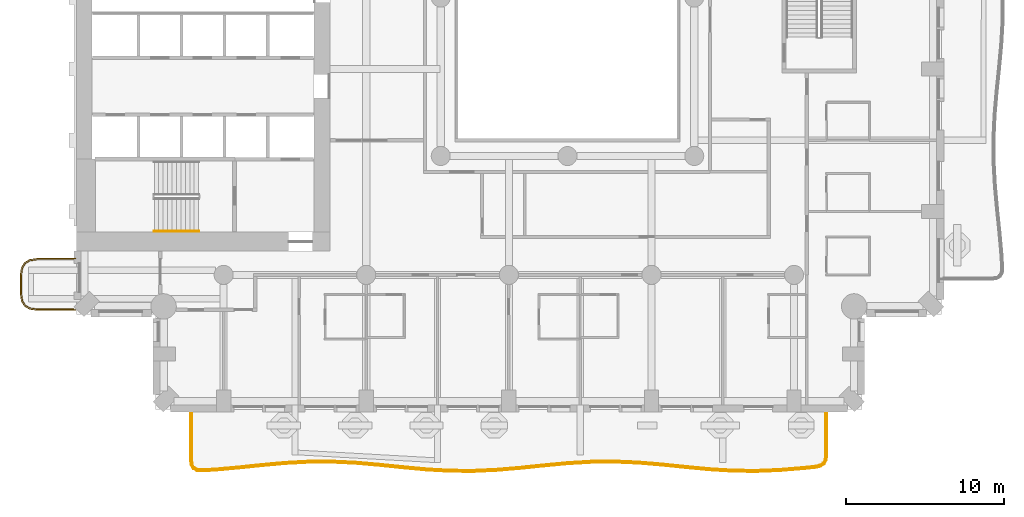
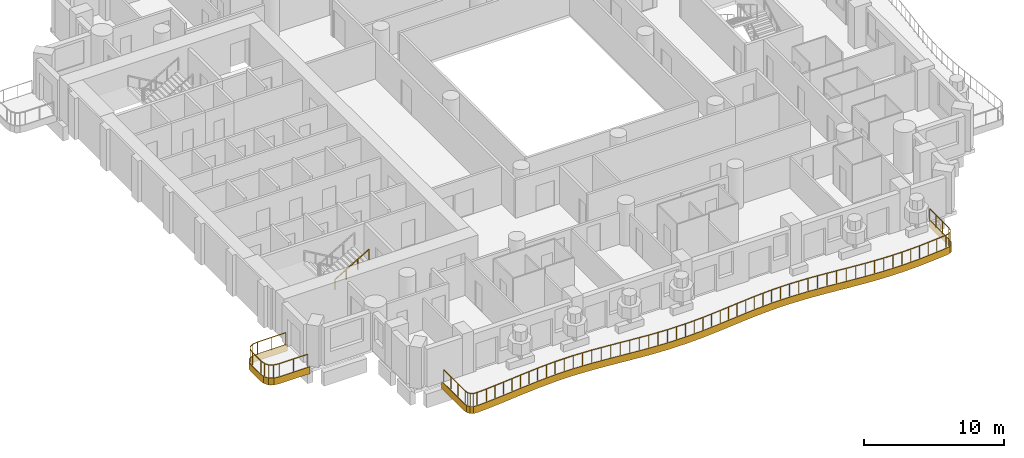
# One storey, part 13 of 20: 3 railings, 2 coverings.
"""IFC4 building model written with IfcOpenShell, lengths in metres."""

from ifc_helpers import new_model, si_unit, direction, frame, origin, origin_2d, place, context, subcontext, project, spatial, polyline, rectangle, outline, extrude, material, layer, layer_set, type_object, element, save


model = new_model("IFC4")

# Units and contexts
model_context = context("Model", 3, precision=1e-05, world=origin(), true_north=direction((0.0, 1.0)))
body_context = subcontext(model_context, "Body", "Model", "MODEL_VIEW")
ifc_project = project(units=[si_unit("LENGTHUNIT", "METRE"), si_unit("AREAUNIT", "SQUARE_METRE"), si_unit("VOLUMEUNIT", "CUBIC_METRE"), si_unit("PLANEANGLEUNIT", "RADIAN"), si_unit("MASSUNIT", "GRAM", prefix="KILO")], contexts=[model_context])

# Site, building, storey
site_placement = place(None, origin())
site = spatial("IfcSite", under=ifc_project, at=site_placement, CompositionType="ELEMENT")
building_placement = place(site_placement, origin())
building = spatial("IfcBuilding", under=site, at=building_placement, Name="Cypress Arch Tower", CompositionType="ELEMENT")
storey_placement = place(building_placement, frame((0.0, 0.0, 77.10009765625)))
storey = spatial("IfcBuildingStorey", under=building, at=storey_placement, Name="L13", CompositionType="ELEMENT", Elevation=77.10009765625)

# Coverings
ifc_material_1 = material(Name="White powder-coated aluminium fascia", Category="aluminium")
ifc_layer = layer(ifc_material_1, 0.050048828125)
ifc_layer_set = layer_set([ifc_layer], Name="Balcony fascia BF50")
covering_type = type_object("IfcCoveringType", Name="Balcony fascia BF50", PredefinedType="CLADDING", material=ifc_layer_set)
covering_1_placement = place(storey_placement, frame((0.0, 0.0, -0.60009765625)))
element("IfcCovering", 1, at=covering_1_placement, inside=storey, type_object=covering_type, Name="Balcony fascia L13-A00W1", PredefinedType="CLADDING", context=body_context, shape_type="SweptSolid", body=[
    extrude(outline(polyline([(-32.503662109375, -19.75), (-32.95458984375, -19.685546875), (-33.286376953125, -19.486328125), (-33.485595703125, -19.154541015625), (-33.550048828125, -18.70361328125), (-33.550048828125, -17.496337890625), (-33.485595703125, -17.04541015625), (-33.286376953125, -16.713623046875), (-32.95458984375, -16.514404296875), (-32.503662109375, -16.449951171875), (-30.0009765625, -16.449951171875), (-30.0009765625, -16.5), (-32.5, -16.5), (-32.9375, -16.5625), (-33.25, -16.75), (-33.4375, -17.0625), (-33.5, -17.5), (-33.5, -18.699951171875), (-33.4375, -19.137451171875), (-33.25, -19.449951171875), (-32.9375, -19.637451171875), (-32.5, -19.699951171875), (-30.0009765625, -19.699951171875), (-30.0009765625, -19.75), (-32.503662109375, -19.75)])), origin(), (0.0, 0.0, 1.0), 0.60009765625),
])
covering_2_placement = place(storey_placement, frame((0.0, 0.0, -0.60009765625)))
element("IfcCovering", 2, at=covering_2_placement, inside=storey, type_object=covering_type, Name="Balcony fascia L13-A03", PredefinedType="CLADDING", context=body_context, shape_type="SweptSolid", body=[
    extrude(outline(polyline([(17.39990234375, -28.89501953125), (17.3564453125, -29.2060546875), (17.220947265625, -29.447021484375), (16.9951171875, -29.606201171875), (16.690185546875, -29.681396484375), (15.869384765625, -29.765625), (14.382568359375, -29.8876953125), (12.89501953125, -29.947265625), (11.407470703125, -29.928466796875), (9.920166015625, -29.83642578125), (8.43408203125, -29.695556640625), (6.948974609375, -29.542724609375), (5.46533203125, -29.41796875), (3.982421875, -29.354248046875), (2.499755859375, -29.3681640625), (1.016845703125, -29.4560546875), (-0.46728515625, -29.5947265625), (-1.95263671875, -29.748291015625), (-3.439208984375, -29.875732421875), (-4.9267578125, -29.944091796875), (-6.41455078125, -29.934814453125), (-7.90185546875, -29.850830078125), (-9.38818359375, -29.7138671875), (-10.873291015625, -29.560302734375), (-12.357177734375, -29.43017578125), (-13.840087890625, -29.35791015625), (-15.32275390625, -29.3623046875), (-16.8056640625, -29.442138671875), (-18.28955078125, -29.57666015625), (-19.77490234375, -29.73046875), (-21.26123046875, -29.863037109375), (-22.082763671875, -29.905517578125), (-22.388916015625, -29.87744140625), (-22.618408203125, -29.75146484375), (-22.75634765625, -29.528564453125), (-22.800048828125, -29.22412109375), (-22.800048828125, -26.0009765625), (-22.75, -26.0009765625), (-22.75, -29.220458984375), (-22.708251953125, -29.51123046875), (-22.5830078125, -29.7138671875), (-22.3740234375, -29.82861328125), (-22.081787109375, -29.855224609375), (-21.264892578125, -29.813232421875), (-19.779541015625, -29.6806640625), (-18.29443359375, -29.52685546875), (-16.809326171875, -29.392333984375), (-15.323974609375, -29.312255859375), (-13.8388671875, -29.307861328125), (-12.353759765625, -29.38037109375), (-10.868408203125, -29.510498046875), (-9.38330078125, -29.6640625), (-7.898193359375, -29.80078125), (-6.412841796875, -29.885009765625), (-4.927734375, -29.89404296875), (-3.442626953125, -29.825927734375), (-1.95751953125, -29.698486328125), (-0.47216796875, -29.544921875), (1.012939453125, -29.406005859375), (2.498046875, -29.318115234375), (3.9833984375, -29.30419921875), (5.468505859375, -29.3681640625), (6.95361328125, -29.492919921875), (8.43896484375, -29.645751953125), (9.924072265625, -29.78662109375), (11.4091796875, -29.87841796875), (12.89453125, -29.897216796875), (14.379638671875, -29.837646484375), (15.86474609375, -29.7158203125), (16.681640625, -29.632080078125), (16.97412109375, -29.56005859375), (17.182861328125, -29.41259765625), (17.308349609375, -29.189697265625), (17.35009765625, -28.8916015625), (17.35009765625, -26.0009765625), (17.39990234375, -26.0009765625), (17.39990234375, -28.89501953125)])), origin(), (0.0, 0.0, 1.0), 0.60009765625),
])

# Railings
ifc_material_2 = material(Name="Powder-coated steel posts and rods, 100 mm clear between rods", Category="steel")
railing_type_1 = type_object("IfcRailingType", Name="Balcony guard GR1100", PredefinedType="GUARDRAIL", material=ifc_material_2)
railing_1_placement = place(storey_placement, frame((-30.14990234375, -19.64990234375, 0.0)))
element("IfcRailing", 3, at=railing_1_placement, inside=storey, type_object=railing_type_1, Name="Balcony guard L13-A00W1", PredefinedType="GUARDRAIL", context=body_context, shape_type="SweptSolid", body=[
    extrude(rectangle(XDim=0.050048828125, YDim=0.050048828125, at=origin_2d()), frame((0.0, 0.0, 1.0751953125), z_axis=(-1.0, 0.0, 0.0), x_axis=(0.0, -1.0, 0.0)), (0.0, 0.0, 1.0), 2.346435546875),
    extrude(rectangle(XDim=0.050048828125, YDim=0.050048828125, at=origin_2d()), frame((-2.346435546875, 0.0, 1.0751953125), z_axis=(-0.989960888959, 0.141341566184, 0.0), x_axis=(-0.141341566184, -0.989960888959, 0.0)), (0.0, 0.0, 1.0), 0.428466796875),
    extrude(rectangle(XDim=0.050048828125, YDim=0.050048828125, at=origin_2d()), frame((-2.7705078125, 0.060546875, 1.0751953125), z_axis=(-0.857681904839, 0.514180659021, 0.0), x_axis=(-0.514180659021, -0.857681904839, 0.0)), (0.0, 0.0, 1.0), 0.341796875),
    extrude(rectangle(XDim=0.050048828125, YDim=0.050048828125, at=origin_2d()), frame((-3.063720703125, 0.236328125, 1.0751953125), z_axis=(-0.514180659021, 0.857681904839, 0.0), x_axis=(-0.857681904839, -0.514180659021, 0.0)), (0.0, 0.0, 1.0), 0.341796875),
    extrude(rectangle(XDim=0.050048828125, YDim=0.050048828125, at=origin_2d()), frame((-3.239501953125, 0.529541015625, 1.0751953125), z_axis=(-0.141421356237, 0.989949493661, 0.0), x_axis=(-0.989949493661, -0.141421356237, 0.0)), (0.0, 0.0, 1.0), 0.42822265625),
    extrude(rectangle(XDim=0.050048828125, YDim=0.050048828125, at=origin_2d()), frame((-3.300048828125, 0.953369140625, 1.0751953125), z_axis=(0.0, 1.0, 0.0), x_axis=(-1.0, 0.0, 0.0)), (0.0, 0.0, 1.0), 1.19287109375),
    extrude(rectangle(XDim=0.050048828125, YDim=0.050048828125, at=origin_2d()), frame((-3.300048828125, 2.146240234375, 1.0751953125), z_axis=(0.141341566184, 0.989960888959, 0.0), x_axis=(-0.989960888959, 0.141341566184, 0.0)), (0.0, 0.0, 1.0), 0.428466796875),
    extrude(rectangle(XDim=0.050048828125, YDim=0.050048828125, at=origin_2d()), frame((-3.239501953125, 2.5703125, 1.0751953125), z_axis=(0.514180659021, 0.857681904839, 0.0), x_axis=(-0.857681904839, 0.514180659021, 0.0)), (0.0, 0.0, 1.0), 0.341796875),
    extrude(rectangle(XDim=0.050048828125, YDim=0.050048828125, at=origin_2d()), frame((-3.063720703125, 2.863525390625, 1.0751953125), z_axis=(0.857681904839, 0.514180659021, 0.0), x_axis=(-0.514180659021, 0.857681904839, 0.0)), (0.0, 0.0, 1.0), 0.341796875),
    extrude(rectangle(XDim=0.050048828125, YDim=0.050048828125, at=origin_2d()), frame((-2.7705078125, 3.039306640625, 1.0751953125), z_axis=(0.989960888959, 0.141341566184, 0.0), x_axis=(-0.141341566184, 0.989960888959, 0.0)), (0.0, 0.0, 1.0), 0.428466796875),
    extrude(rectangle(XDim=0.050048828125, YDim=0.050048828125, at=origin_2d()), frame((-2.346435546875, 3.099853515625, 1.0751953125), z_axis=(1.0, 0.0, 0.0), x_axis=(0.0, 1.0, 0.0)), (0.0, 0.0, 1.0), 2.346435546875),
    extrude(rectangle(XDim=0.0400390625, YDim=0.0400390625, at=origin_2d()), origin(), (0.0, 0.0, 1.0), 1.050048828125),
    extrude(rectangle(XDim=0.0400390625, YDim=0.0400390625, at=origin_2d()), frame((-1.17333984375, 0.0, 0.0)), (0.0, 0.0, 1.0), 1.050048828125),
    extrude(rectangle(XDim=0.0400390625, YDim=0.0400390625, at=origin_2d()), frame((-2.346435546875, 0.0, 0.0)), (0.0, 0.0, 1.0), 1.050048828125),
    extrude(rectangle(XDim=0.0400390625, YDim=0.0400390625, at=origin_2d()), frame((-2.7705078125, 0.060546875, 0.0)), (0.0, 0.0, 1.0), 1.050048828125),
    extrude(rectangle(XDim=0.0400390625, YDim=0.0400390625, at=origin_2d()), frame((-3.063720703125, 0.236328125, 0.0)), (0.0, 0.0, 1.0), 1.050048828125),
    extrude(rectangle(XDim=0.0400390625, YDim=0.0400390625, at=origin_2d()), frame((-3.239501953125, 0.529541015625, 0.0)), (0.0, 0.0, 1.0), 1.050048828125),
    extrude(rectangle(XDim=0.0400390625, YDim=0.0400390625, at=origin_2d()), frame((-3.300048828125, 0.953369140625, 0.0)), (0.0, 0.0, 1.0), 1.050048828125),
    extrude(rectangle(XDim=0.0400390625, YDim=0.0400390625, at=origin_2d()), frame((-3.300048828125, 2.146240234375, 0.0)), (0.0, 0.0, 1.0), 1.050048828125),
    extrude(rectangle(XDim=0.0400390625, YDim=0.0400390625, at=origin_2d()), frame((-3.239501953125, 2.5703125, 0.0)), (0.0, 0.0, 1.0), 1.050048828125),
    extrude(rectangle(XDim=0.0400390625, YDim=0.0400390625, at=origin_2d()), frame((-3.063720703125, 2.863525390625, 0.0)), (0.0, 0.0, 1.0), 1.050048828125),
    extrude(rectangle(XDim=0.0400390625, YDim=0.0400390625, at=origin_2d()), frame((-2.7705078125, 3.039306640625, 0.0)), (0.0, 0.0, 1.0), 1.050048828125),
    extrude(rectangle(XDim=0.0400390625, YDim=0.0400390625, at=origin_2d()), frame((-2.346435546875, 3.099853515625, 0.0)), (0.0, 0.0, 1.0), 1.050048828125),
    extrude(rectangle(XDim=0.0400390625, YDim=0.0400390625, at=origin_2d()), frame((-1.17333984375, 3.099853515625, 0.0)), (0.0, 0.0, 1.0), 1.050048828125),
    extrude(rectangle(XDim=0.0400390625, YDim=0.0400390625, at=origin_2d()), frame((0.0, 3.099853515625, 0.0)), (0.0, 0.0, 1.0), 1.050048828125),
])
railing_2_placement = place(storey_placement, frame((17.300048828125, -26.14990234375, 0.0)))
element("IfcRailing", 4, at=railing_2_placement, inside=storey, type_object=railing_type_1, Name="Balcony guard L13-A03", PredefinedType="GUARDRAIL", context=body_context, shape_type="SweptSolid", body=[
    extrude(rectangle(XDim=0.050048828125, YDim=0.050048828125, at=origin_2d()), frame((0.0, 0.0, 1.0751953125), z_axis=(0.0, -1.0, 0.0), x_axis=(1.0, 0.0, 0.0)), (0.0, 0.0, 1.0), 2.73828125),
    extrude(rectangle(XDim=0.050048828125, YDim=0.050048828125, at=origin_2d()), frame((0.0, -2.73828125, 1.0751953125), z_axis=(-0.13893032839, -0.990302157856, 0.0), x_axis=(0.990302157856, -0.13893032839, 0.0)), (0.0, 0.0, 1.0), 0.2880859375),
    extrude(rectangle(XDim=0.050048828125, YDim=0.050048828125, at=origin_2d()), frame((-0.0400390625, -3.023681640625, 1.0751953125), z_axis=(-0.490754803611, -0.87129772336, 0.0), x_axis=(0.87129772336, -0.490754803611, 0.0)), (0.0, 0.0, 1.0), 0.23486328125),
    extrude(rectangle(XDim=0.050048828125, YDim=0.050048828125, at=origin_2d()), frame((-0.1552734375, -3.228271484375, 1.0751953125), z_axis=(-0.816881446664, -0.576805601652, 0.0), x_axis=(0.576805601652, -0.816881446664, 0.0)), (0.0, 0.0, 1.0), 0.23486328125),
    extrude(rectangle(XDim=0.050048828125, YDim=0.050048828125, at=origin_2d()), frame((-0.34716796875, -3.36376953125, 1.0751953125), z_axis=(-0.97103302902, -0.238945300335, 0.0), x_axis=(0.238945300335, -0.97103302902, 0.0)), (0.0, 0.0, 1.0), 0.2880859375),
    extrude(rectangle(XDim=0.050048828125, YDim=0.050048828125, at=origin_2d()), frame((-0.626953125, -3.4326171875, 1.0751953125), z_axis=(-0.994767435445, -0.102165304181, 0.0), x_axis=(0.102165304181, -0.994767435445, 0.0)), (0.0, 0.0, 1.0), 0.8173828125),
    extrude(rectangle(XDim=0.050048828125, YDim=0.050048828125, at=origin_2d()), frame((-1.43994140625, -3.51611328125, 1.0751953125), z_axis=(-0.99664568998, -0.081837452575, 0.0), x_axis=(0.081837452575, -0.99664568998, 0.0)), (0.0, 0.0, 1.0), 1.488525390625),
    extrude(rectangle(XDim=0.050048828125, YDim=0.050048828125, at=origin_2d()), frame((-2.923583984375, -3.637939453125, 1.0751953125), z_axis=(-0.999200432975, -0.039981179847, 0.0), x_axis=(0.039981179847, -0.999200432975, 0.0)), (0.0, 0.0, 1.0), 1.48388671875),
    extrude(rectangle(XDim=0.050048828125, YDim=0.050048828125, at=origin_2d()), frame((-4.40625, -3.697265625, 1.0751953125), z_axis=(-0.999921703992, 0.012513428207, 0.0), x_axis=(-0.012513428207, -0.999921703992, 0.0)), (0.0, 0.0, 1.0), 1.482666015625),
    extrude(rectangle(XDim=0.050048828125, YDim=0.050048828125, at=origin_2d()), frame((-5.888916015625, -3.6787109375, 1.0751953125), z_axis=(-0.998090113487, 0.061774795501, 0.0), x_axis=(-0.061774795501, -0.998090113487, 0.0)), (0.0, 0.0, 1.0), 1.486083984375),
    extrude(rectangle(XDim=0.050048828125, YDim=0.050048828125, at=origin_2d()), frame((-7.3720703125, -3.5869140625, 1.0751953125), z_axis=(-0.995525599033, 0.094492230736, 0.0), x_axis=(-0.094492230736, -0.995525599033, 0.0)), (0.0, 0.0, 1.0), 1.49072265625),
    extrude(rectangle(XDim=0.050048828125, YDim=0.050048828125, at=origin_2d()), frame((-8.856201171875, -3.446044921875, 1.0751953125), z_axis=(-0.994749908611, 0.102335816399, 0.0), x_axis=(-0.102335816399, -0.994749908611, 0.0)), (0.0, 0.0, 1.0), 1.493408203125),
    extrude(rectangle(XDim=0.050048828125, YDim=0.050048828125, at=origin_2d()), frame((-10.341796875, -3.293212890625, 1.0751953125), z_axis=(-0.996483404549, 0.083790360179, 0.0), x_axis=(-0.083790360179, -0.996483404549, 0.0)), (0.0, 0.0, 1.0), 1.49169921875),
    extrude(rectangle(XDim=0.050048828125, YDim=0.050048828125, at=origin_2d()), frame((-11.828369140625, -3.168212890625, 1.0751953125), z_axis=(-0.99907677304, 0.042960465212, 0.0), x_axis=(-0.042960465212, -0.99907677304, 0.0)), (0.0, 0.0, 1.0), 1.489013671875),
    extrude(rectangle(XDim=0.050048828125, YDim=0.050048828125, at=origin_2d()), frame((-13.31591796875, -3.104248046875, 1.0751953125), z_axis=(-0.99995625924, -0.009353053295, 0.0), x_axis=(0.009353053295, -0.99995625924, 0.0)), (0.0, 0.0, 1.0), 1.48779296875),
    extrude(rectangle(XDim=0.050048828125, YDim=0.050048828125, at=origin_2d()), frame((-14.8037109375, -3.1181640625, 1.0751953125), z_axis=(-0.998248279157, -0.059163951531, 0.0), x_axis=(0.059163951531, -0.998248279157, 0.0)), (0.0, 0.0, 1.0), 1.48974609375),
    extrude(rectangle(XDim=0.050048828125, YDim=0.050048828125, at=origin_2d()), frame((-16.290771484375, -3.206298828125, 1.0751953125), z_axis=(-0.995645617519, -0.093219119906, 0.0), x_axis=(0.093219119906, -0.995645617519, 0.0)), (0.0, 0.0, 1.0), 1.492919921875),
    extrude(rectangle(XDim=0.050048828125, YDim=0.050048828125, at=origin_2d()), frame((-17.777099609375, -3.345458984375, 1.0751953125), z_axis=(-0.994713126646, -0.102692724566, 0.0), x_axis=(0.102692724566, -0.994713126646, 0.0)), (0.0, 0.0, 1.0), 1.492919921875),
    extrude(rectangle(XDim=0.050048828125, YDim=0.050048828125, at=origin_2d()), frame((-19.26220703125, -3.498779296875, 1.0751953125), z_axis=(-0.996331087736, -0.085582495935, 0.0), x_axis=(0.085582495935, -0.996331087736, 0.0)), (0.0, 0.0, 1.0), 1.489013671875),
    extrude(rectangle(XDim=0.050048828125, YDim=0.050048828125, at=origin_2d()), frame((-20.745849609375, -3.626220703125, 1.0751953125), z_axis=(-0.99895424883, -0.04572098801, 0.0), x_axis=(0.04572098801, -0.99895424883, 0.0)), (0.0, 0.0, 1.0), 1.484375),
    extrude(rectangle(XDim=0.050048828125, YDim=0.050048828125, at=origin_2d()), frame((-22.228759765625, -3.694091796875, 1.0751953125), z_axis=(-0.99998144099, 0.006092427683, 0.0), x_axis=(-0.006092427683, -0.99998144099, 0.0)), (0.0, 0.0, 1.0), 1.482666015625),
    extrude(rectangle(XDim=0.050048828125, YDim=0.050048828125, at=origin_2d()), frame((-23.71142578125, -3.68505859375, 1.0751953125), z_axis=(-0.998400620779, 0.056534948732, 0.0), x_axis=(-0.056534948732, -0.998400620779, 0.0)), (0.0, 0.0, 1.0), 1.485595703125),
    extrude(rectangle(XDim=0.050048828125, YDim=0.050048828125, at=origin_2d()), frame((-25.194580078125, -3.60107421875, 1.0751953125), z_axis=(-0.995782351966, 0.091746975502, 0.0), x_axis=(-0.091746975502, -0.995782351966, 0.0)), (0.0, 0.0, 1.0), 1.490234375),
    extrude(rectangle(XDim=0.050048828125, YDim=0.050048828125, at=origin_2d()), frame((-26.678466796875, -3.46435546875, 1.0751953125), z_axis=(-0.994698139352, 0.102837792514, 0.0), x_axis=(-0.102837792514, -0.994698139352, 0.0)), (0.0, 0.0, 1.0), 1.4931640625),
    extrude(rectangle(XDim=0.050048828125, YDim=0.050048828125, at=origin_2d()), frame((-28.163818359375, -3.310791015625, 1.0751953125), z_axis=(-0.996176472709, 0.087363809563, 0.0), x_axis=(-0.087363809563, -0.996176472709, 0.0)), (0.0, 0.0, 1.0), 1.4921875),
    extrude(rectangle(XDim=0.050048828125, YDim=0.050048828125, at=origin_2d()), frame((-29.650390625, -3.180419921875, 1.0751953125), z_axis=(-0.998821673898, 0.048531059664, 0.0), x_axis=(-0.048531059664, -0.998821673898, 0.0)), (0.0, 0.0, 1.0), 1.489013671875),
    extrude(rectangle(XDim=0.050048828125, YDim=0.050048828125, at=origin_2d()), frame((-31.1376953125, -3.108154296875, 1.0751953125), z_axis=(-0.999995637783, -0.002953712091, 0.0), x_axis=(0.002953712091, -0.999995637783, 0.0)), (0.0, 0.0, 1.0), 1.48779296875),
    extrude(rectangle(XDim=0.050048828125, YDim=0.050048828125, at=origin_2d()), frame((-32.62548828125, -3.112548828125, 1.0751953125), z_axis=(-0.998553711496, -0.053763233318, 0.0), x_axis=(0.053763233318, -0.998553711496, 0.0)), (0.0, 0.0, 1.0), 1.489501953125),
    extrude(rectangle(XDim=0.050048828125, YDim=0.050048828125, at=origin_2d()), frame((-34.11279296875, -3.192626953125, 1.0751953125), z_axis=(-0.995930659743, -0.090122810563, 0.0), x_axis=(0.090122810563, -0.995930659743, 0.0)), (0.0, 0.0, 1.0), 1.49267578125),
    extrude(rectangle(XDim=0.050048828125, YDim=0.050048828125, at=origin_2d()), frame((-35.599365234375, -3.3271484375, 1.0751953125), z_axis=(-0.994679667362, -0.103016306171, 0.0), x_axis=(0.103016306171, -0.994679667362, 0.0)), (0.0, 0.0, 1.0), 1.4931640625),
    extrude(rectangle(XDim=0.050048828125, YDim=0.050048828125, at=origin_2d()), frame((-37.08447265625, -3.48095703125, 1.0751953125), z_axis=(-0.99603303809, -0.088984195407, 0.0), x_axis=(0.088984195407, -0.99603303809, 0.0)), (0.0, 0.0, 1.0), 1.48974609375),
    extrude(rectangle(XDim=0.050048828125, YDim=0.050048828125, at=origin_2d()), frame((-38.568359375, -3.613525390625, 1.0751953125), z_axis=(-0.998681751759, -0.051329900677, 0.0), x_axis=(0.051329900677, -0.998681751759, 0.0)), (0.0, 0.0, 1.0), 0.813232421875),
    extrude(rectangle(XDim=0.050048828125, YDim=0.050048828125, at=origin_2d()), frame((-39.380615234375, -3.6552734375, 1.0751953125), z_axis=(-0.99587171604, 0.090771830384, 0.0), x_axis=(-0.090771830384, -0.99587171604, 0.0)), (0.0, 0.0, 1.0), 0.27978515625),
    extrude(rectangle(XDim=0.050048828125, YDim=0.050048828125, at=origin_2d()), frame((-39.6591796875, -3.6298828125, 1.0751953125), z_axis=(-0.876239902748, 0.481875121615, 0.0), x_axis=(-0.481875121615, -0.876239902748, 0.0)), (0.0, 0.0, 1.0), 0.21484375),
    extrude(rectangle(XDim=0.050048828125, YDim=0.050048828125, at=origin_2d()), frame((-39.847412109375, -3.5263671875, 1.0751953125), z_axis=(-0.525492880722, 0.850797997359, 0.0), x_axis=(-0.850797997359, -0.525492880722, 0.0)), (0.0, 0.0, 1.0), 0.214599609375),
    extrude(rectangle(XDim=0.050048828125, YDim=0.050048828125, at=origin_2d()), frame((-39.960205078125, -3.34375, 1.0751953125), z_axis=(-0.142399739356, 0.989809231232, 0.0), x_axis=(-0.989809231232, -0.142399739356, 0.0)), (0.0, 0.0, 1.0), 0.279541015625),
    extrude(rectangle(XDim=0.050048828125, YDim=0.050048828125, at=origin_2d()), frame((-40.0, -3.067138671875, 1.0751953125), z_axis=(0.0, 1.0, 0.0), x_axis=(-1.0, 0.0, 0.0)), (0.0, 0.0, 1.0), 3.067138671875),
    extrude(rectangle(XDim=0.0400390625, YDim=0.0400390625, at=origin_2d()), origin(), (0.0, 0.0, 1.0), 1.050048828125),
    extrude(rectangle(XDim=0.0400390625, YDim=0.0400390625, at=origin_2d()), frame((0.0, -0.912841796875, 0.0)), (0.0, 0.0, 1.0), 1.050048828125),
    extrude(rectangle(XDim=0.0400390625, YDim=0.0400390625, at=origin_2d()), frame((0.0, -1.825439453125, 0.0)), (0.0, 0.0, 1.0), 1.050048828125),
    extrude(rectangle(XDim=0.0400390625, YDim=0.0400390625, at=origin_2d()), frame((0.0, -2.73828125, 0.0)), (0.0, 0.0, 1.0), 1.050048828125),
    extrude(rectangle(XDim=0.0400390625, YDim=0.0400390625, at=origin_2d()), frame((-0.0400390625, -3.023681640625, 0.0)), (0.0, 0.0, 1.0), 1.050048828125),
    extrude(rectangle(XDim=0.0400390625, YDim=0.0400390625, at=origin_2d()), frame((-0.1552734375, -3.228271484375, 0.0)), (0.0, 0.0, 1.0), 1.050048828125),
    extrude(rectangle(XDim=0.0400390625, YDim=0.0400390625, at=origin_2d()), frame((-0.34716796875, -3.36376953125, 0.0)), (0.0, 0.0, 1.0), 1.050048828125),
    extrude(rectangle(XDim=0.0400390625, YDim=0.0400390625, at=origin_2d()), frame((-0.626953125, -3.4326171875, 0.0)), (0.0, 0.0, 1.0), 1.050048828125),
    extrude(rectangle(XDim=0.0400390625, YDim=0.0400390625, at=origin_2d()), frame((-1.43994140625, -3.51611328125, 0.0)), (0.0, 0.0, 1.0), 1.050048828125),
    extrude(rectangle(XDim=0.0400390625, YDim=0.0400390625, at=origin_2d()), frame((-2.181640625, -3.5771484375, 0.0)), (0.0, 0.0, 1.0), 1.050048828125),
    extrude(rectangle(XDim=0.0400390625, YDim=0.0400390625, at=origin_2d()), frame((-2.923583984375, -3.637939453125, 0.0)), (0.0, 0.0, 1.0), 1.050048828125),
    extrude(rectangle(XDim=0.0400390625, YDim=0.0400390625, at=origin_2d()), frame((-3.6650390625, -3.66748046875, 0.0)), (0.0, 0.0, 1.0), 1.050048828125),
    extrude(rectangle(XDim=0.0400390625, YDim=0.0400390625, at=origin_2d()), frame((-4.40625, -3.697265625, 0.0)), (0.0, 0.0, 1.0), 1.050048828125),
    extrude(rectangle(XDim=0.0400390625, YDim=0.0400390625, at=origin_2d()), frame((-5.1474609375, -3.68798828125, 0.0)), (0.0, 0.0, 1.0), 1.050048828125),
    extrude(rectangle(XDim=0.0400390625, YDim=0.0400390625, at=origin_2d()), frame((-5.888916015625, -3.6787109375, 0.0)), (0.0, 0.0, 1.0), 1.050048828125),
    extrude(rectangle(XDim=0.0400390625, YDim=0.0400390625, at=origin_2d()), frame((-6.63037109375, -3.6328125, 0.0)), (0.0, 0.0, 1.0), 1.050048828125),
    extrude(rectangle(XDim=0.0400390625, YDim=0.0400390625, at=origin_2d()), frame((-7.3720703125, -3.5869140625, 0.0)), (0.0, 0.0, 1.0), 1.050048828125),
    extrude(rectangle(XDim=0.0400390625, YDim=0.0400390625, at=origin_2d()), frame((-8.1142578125, -3.5166015625, 0.0)), (0.0, 0.0, 1.0), 1.050048828125),
    extrude(rectangle(XDim=0.0400390625, YDim=0.0400390625, at=origin_2d()), frame((-8.856201171875, -3.446044921875, 0.0)), (0.0, 0.0, 1.0), 1.050048828125),
    extrude(rectangle(XDim=0.0400390625, YDim=0.0400390625, at=origin_2d()), frame((-9.59912109375, -3.36962890625, 0.0)), (0.0, 0.0, 1.0), 1.050048828125),
    extrude(rectangle(XDim=0.0400390625, YDim=0.0400390625, at=origin_2d()), frame((-10.341796875, -3.293212890625, 0.0)), (0.0, 0.0, 1.0), 1.050048828125),
    extrude(rectangle(XDim=0.0400390625, YDim=0.0400390625, at=origin_2d()), frame((-11.0849609375, -3.230712890625, 0.0)), (0.0, 0.0, 1.0), 1.050048828125),
    extrude(rectangle(XDim=0.0400390625, YDim=0.0400390625, at=origin_2d()), frame((-11.828369140625, -3.168212890625, 0.0)), (0.0, 0.0, 1.0), 1.050048828125),
    extrude(rectangle(XDim=0.0400390625, YDim=0.0400390625, at=origin_2d()), frame((-12.572265625, -3.13623046875, 0.0)), (0.0, 0.0, 1.0), 1.050048828125),
    extrude(rectangle(XDim=0.0400390625, YDim=0.0400390625, at=origin_2d()), frame((-13.31591796875, -3.104248046875, 0.0)), (0.0, 0.0, 1.0), 1.050048828125),
    extrude(rectangle(XDim=0.0400390625, YDim=0.0400390625, at=origin_2d()), frame((-14.059814453125, -3.111328125, 0.0)), (0.0, 0.0, 1.0), 1.050048828125),
    extrude(rectangle(XDim=0.0400390625, YDim=0.0400390625, at=origin_2d()), frame((-14.8037109375, -3.1181640625, 0.0)), (0.0, 0.0, 1.0), 1.050048828125),
    extrude(rectangle(XDim=0.0400390625, YDim=0.0400390625, at=origin_2d()), frame((-15.54736328125, -3.162109375, 0.0)), (0.0, 0.0, 1.0), 1.050048828125),
    extrude(rectangle(XDim=0.0400390625, YDim=0.0400390625, at=origin_2d()), frame((-16.290771484375, -3.206298828125, 0.0)), (0.0, 0.0, 1.0), 1.050048828125),
    extrude(rectangle(XDim=0.0400390625, YDim=0.0400390625, at=origin_2d()), frame((-17.033935546875, -3.27587890625, 0.0)), (0.0, 0.0, 1.0), 1.050048828125),
    extrude(rectangle(XDim=0.0400390625, YDim=0.0400390625, at=origin_2d()), frame((-17.777099609375, -3.345458984375, 0.0)), (0.0, 0.0, 1.0), 1.050048828125),
    extrude(rectangle(XDim=0.0400390625, YDim=0.0400390625, at=origin_2d()), frame((-18.51953125, -3.422119140625, 0.0)), (0.0, 0.0, 1.0), 1.050048828125),
    extrude(rectangle(XDim=0.0400390625, YDim=0.0400390625, at=origin_2d()), frame((-19.26220703125, -3.498779296875, 0.0)), (0.0, 0.0, 1.0), 1.050048828125),
    extrude(rectangle(XDim=0.0400390625, YDim=0.0400390625, at=origin_2d()), frame((-20.00390625, -3.5625, 0.0)), (0.0, 0.0, 1.0), 1.050048828125),
    extrude(rectangle(XDim=0.0400390625, YDim=0.0400390625, at=origin_2d()), frame((-20.745849609375, -3.626220703125, 0.0)), (0.0, 0.0, 1.0), 1.050048828125),
    extrude(rectangle(XDim=0.0400390625, YDim=0.0400390625, at=origin_2d()), frame((-21.4873046875, -3.66015625, 0.0)), (0.0, 0.0, 1.0), 1.050048828125),
    extrude(rectangle(XDim=0.0400390625, YDim=0.0400390625, at=origin_2d()), frame((-22.228759765625, -3.694091796875, 0.0)), (0.0, 0.0, 1.0), 1.050048828125),
    extrude(rectangle(XDim=0.0400390625, YDim=0.0400390625, at=origin_2d()), frame((-22.97021484375, -3.689453125, 0.0)), (0.0, 0.0, 1.0), 1.050048828125),
    extrude(rectangle(XDim=0.0400390625, YDim=0.0400390625, at=origin_2d()), frame((-23.71142578125, -3.68505859375, 0.0)), (0.0, 0.0, 1.0), 1.050048828125),
    extrude(rectangle(XDim=0.0400390625, YDim=0.0400390625, at=origin_2d()), frame((-24.453125, -3.64306640625, 0.0)), (0.0, 0.0, 1.0), 1.050048828125),
    extrude(rectangle(XDim=0.0400390625, YDim=0.0400390625, at=origin_2d()), frame((-25.194580078125, -3.60107421875, 0.0)), (0.0, 0.0, 1.0), 1.050048828125),
    extrude(rectangle(XDim=0.0400390625, YDim=0.0400390625, at=origin_2d()), frame((-25.9365234375, -3.53271484375, 0.0)), (0.0, 0.0, 1.0), 1.050048828125),
    extrude(rectangle(XDim=0.0400390625, YDim=0.0400390625, at=origin_2d()), frame((-26.678466796875, -3.46435546875, 0.0)), (0.0, 0.0, 1.0), 1.050048828125),
    extrude(rectangle(XDim=0.0400390625, YDim=0.0400390625, at=origin_2d()), frame((-27.421142578125, -3.3876953125, 0.0)), (0.0, 0.0, 1.0), 1.050048828125),
    extrude(rectangle(XDim=0.0400390625, YDim=0.0400390625, at=origin_2d()), frame((-28.163818359375, -3.310791015625, 0.0)), (0.0, 0.0, 1.0), 1.050048828125),
    extrude(rectangle(XDim=0.0400390625, YDim=0.0400390625, at=origin_2d()), frame((-28.9072265625, -3.24560546875, 0.0)), (0.0, 0.0, 1.0), 1.050048828125),
    extrude(rectangle(XDim=0.0400390625, YDim=0.0400390625, at=origin_2d()), frame((-29.650390625, -3.180419921875, 0.0)), (0.0, 0.0, 1.0), 1.050048828125),
    extrude(rectangle(XDim=0.0400390625, YDim=0.0400390625, at=origin_2d()), frame((-30.39404296875, -3.144287109375, 0.0)), (0.0, 0.0, 1.0), 1.050048828125),
    extrude(rectangle(XDim=0.0400390625, YDim=0.0400390625, at=origin_2d()), frame((-31.1376953125, -3.108154296875, 0.0)), (0.0, 0.0, 1.0), 1.050048828125),
    extrude(rectangle(XDim=0.0400390625, YDim=0.0400390625, at=origin_2d()), frame((-31.881591796875, -3.1103515625, 0.0)), (0.0, 0.0, 1.0), 1.050048828125),
    extrude(rectangle(XDim=0.0400390625, YDim=0.0400390625, at=origin_2d()), frame((-32.62548828125, -3.112548828125, 0.0)), (0.0, 0.0, 1.0), 1.050048828125),
    extrude(rectangle(XDim=0.0400390625, YDim=0.0400390625, at=origin_2d()), frame((-33.369140625, -3.152587890625, 0.0)), (0.0, 0.0, 1.0), 1.050048828125),
    extrude(rectangle(XDim=0.0400390625, YDim=0.0400390625, at=origin_2d()), frame((-34.11279296875, -3.192626953125, 0.0)), (0.0, 0.0, 1.0), 1.050048828125),
    extrude(rectangle(XDim=0.0400390625, YDim=0.0400390625, at=origin_2d()), frame((-34.85595703125, -3.259765625, 0.0)), (0.0, 0.0, 1.0), 1.050048828125),
    extrude(rectangle(XDim=0.0400390625, YDim=0.0400390625, at=origin_2d()), frame((-35.599365234375, -3.3271484375, 0.0)), (0.0, 0.0, 1.0), 1.050048828125),
    extrude(rectangle(XDim=0.0400390625, YDim=0.0400390625, at=origin_2d()), frame((-36.341796875, -3.404052734375, 0.0)), (0.0, 0.0, 1.0), 1.050048828125),
    extrude(rectangle(XDim=0.0400390625, YDim=0.0400390625, at=origin_2d()), frame((-37.08447265625, -3.48095703125, 0.0)), (0.0, 0.0, 1.0), 1.050048828125),
    extrude(rectangle(XDim=0.0400390625, YDim=0.0400390625, at=origin_2d()), frame((-37.826416015625, -3.54736328125, 0.0)), (0.0, 0.0, 1.0), 1.050048828125),
    extrude(rectangle(XDim=0.0400390625, YDim=0.0400390625, at=origin_2d()), frame((-38.568359375, -3.613525390625, 0.0)), (0.0, 0.0, 1.0), 1.050048828125),
    extrude(rectangle(XDim=0.0400390625, YDim=0.0400390625, at=origin_2d()), frame((-39.380615234375, -3.6552734375, 0.0)), (0.0, 0.0, 1.0), 1.050048828125),
    extrude(rectangle(XDim=0.0400390625, YDim=0.0400390625, at=origin_2d()), frame((-39.6591796875, -3.6298828125, 0.0)), (0.0, 0.0, 1.0), 1.050048828125),
    extrude(rectangle(XDim=0.0400390625, YDim=0.0400390625, at=origin_2d()), frame((-39.847412109375, -3.5263671875, 0.0)), (0.0, 0.0, 1.0), 1.050048828125),
    extrude(rectangle(XDim=0.0400390625, YDim=0.0400390625, at=origin_2d()), frame((-39.960205078125, -3.34375, 0.0)), (0.0, 0.0, 1.0), 1.050048828125),
    extrude(rectangle(XDim=0.0400390625, YDim=0.0400390625, at=origin_2d()), frame((-40.0, -3.067138671875, 0.0)), (0.0, 0.0, 1.0), 1.050048828125),
    extrude(rectangle(XDim=0.0400390625, YDim=0.0400390625, at=origin_2d()), frame((-40.0, -2.044677734375, 0.0)), (0.0, 0.0, 1.0), 1.050048828125),
    extrude(rectangle(XDim=0.0400390625, YDim=0.0400390625, at=origin_2d()), frame((-40.0, -1.0224609375, 0.0)), (0.0, 0.0, 1.0), 1.050048828125),
    extrude(rectangle(XDim=0.0400390625, YDim=0.0400390625, at=origin_2d()), frame((-40.0, 0.0, 0.0)), (0.0, 0.0, 1.0), 1.050048828125),
])
ifc_material_3 = material(Name="Black powder-coated steel square bar 48 mm", Category="steel")
railing_type_2 = type_object("IfcRailingType", Name="Stair handrail HR1", PredefinedType="HANDRAIL", material=ifc_material_3)
railing_3_placement = place(storey_placement, frame((-25.074951171875, -14.75, 1.963623046875)))
element("IfcRailing", 5, at=railing_3_placement, inside=storey, type_object=railing_type_2, Name="L13 A stair handrail 2", PredefinedType="HANDRAIL", context=body_context, shape_type="SweptSolid", body=[
    extrude(rectangle(XDim=0.048095703125, YDim=0.048095703125, at=origin_2d()), frame((0.0, 0.0, 0.8759765625), z_axis=(0.863393664356, 0.0, 0.504530851732), x_axis=(0.0, 1.0, 0.0)), (0.0, 0.0, 1.0), 3.2431640625),
    extrude(rectangle(XDim=0.0419921875, YDim=0.0419921875, at=origin_2d()), origin(), (0.0, 0.0, 1.0), 0.851806640625),
    extrude(rectangle(XDim=0.0419921875, YDim=0.0419921875, at=origin_2d()), frame((0.933349609375, 0.0, 0.54541015625)), (0.0, 0.0, 1.0), 0.851806640625),
    extrude(rectangle(XDim=0.0419921875, YDim=0.0419921875, at=origin_2d()), frame((1.86669921875, 0.0, 1.0908203125)), (0.0, 0.0, 1.0), 0.851806640625),
    extrude(rectangle(XDim=0.0419921875, YDim=0.0419921875, at=origin_2d()), frame((2.800048828125, 0.0, 1.63623046875)), (0.0, 0.0, 1.0), 0.851806640625),
])

save(model, "model.ifc")
